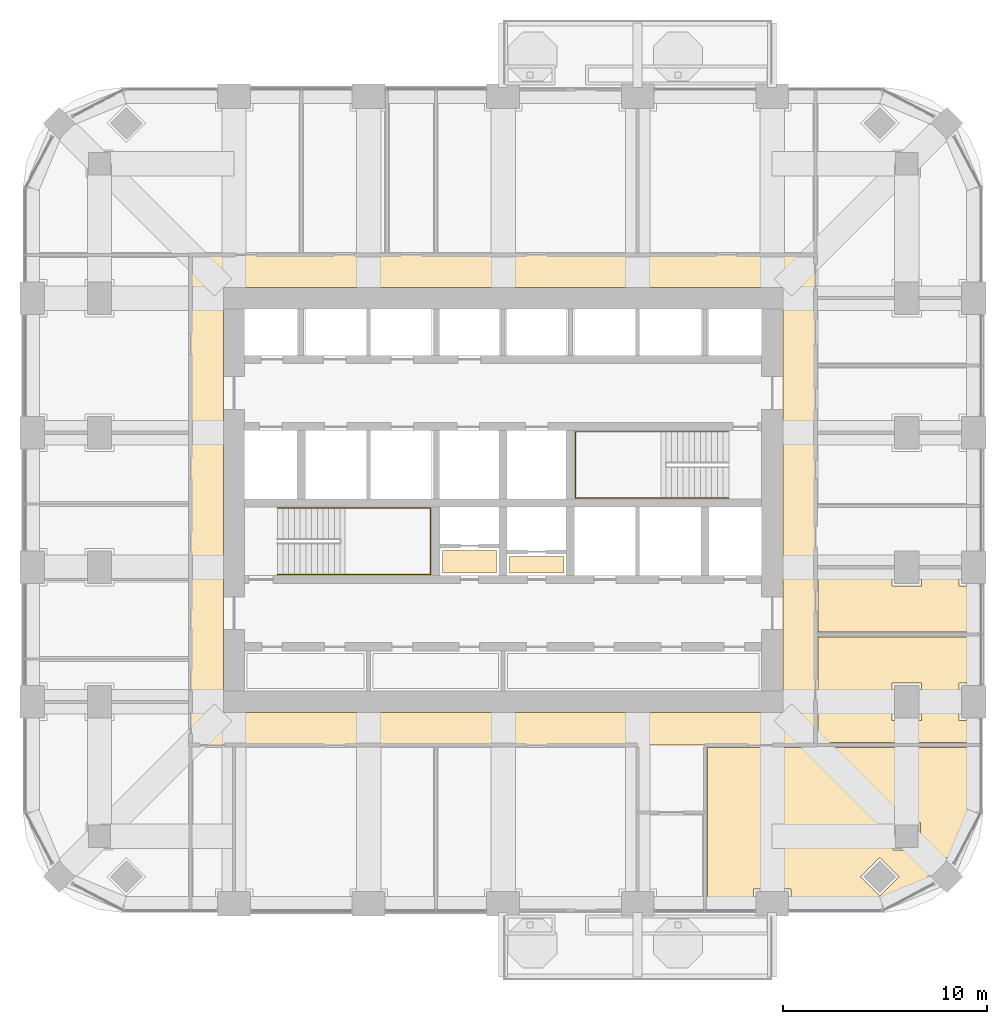
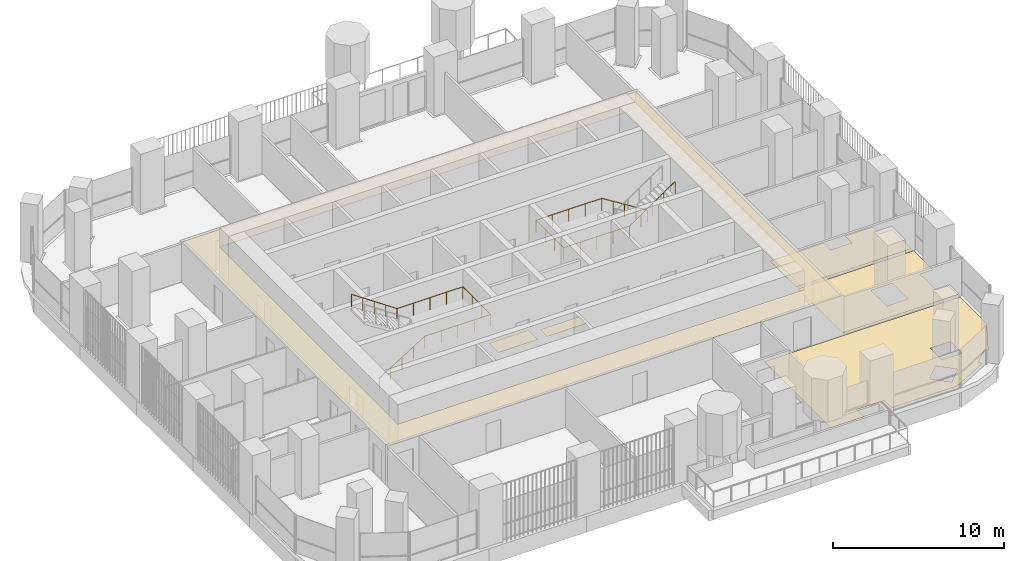
# One storey, part 18 of 20: 6 coverings, 2 railings.
"""IFC4 building model written with IfcOpenShell, lengths in metres."""

import ifcopenshell
import ifcopenshell.guid

model = None  # the IFC model being written
_history = None  # IfcOwnerHistory: only IFC2X3 demands one
_inside = {}  # id of a spatial element -> (the spatial element, [elements in it])
_under = {}  # id of a project, library or spatial element -> (it, [spatial elements below it])
_declared = {}  # id of a project -> (the project, [libraries it declares])
_typed = {}  # id of a type object -> (the type object, [elements of that type])
_made_of = {}  # id of a material, layer set ... -> (it, [elements and type objects made of it])


def new_model(schema):
    """Start an empty IFC model of exactly this schema.

    Asked for "IFC4X3", IfcOpenShell would pick the latest addendum, in which some entities
    have other attributes; the version numbers below select the first issue.
    IFC2X3 requires an IfcOwnerHistory on every rooted entity: one is made here for all.
    """
    global model, _history
    if schema == "IFC4X3":
        model = ifcopenshell.file(schema_version=(4, 3, 0, 0))
    else:
        model = ifcopenshell.file(schema=schema)
    _inside.clear()
    _under.clear()
    _declared.clear()
    _typed.clear()
    _made_of.clear()
    _history = None
    if model.schema == "IFC2X3":
        org = make("IfcOrganization", Name="unknown")
        user = make(
            "IfcPersonAndOrganization",
            ThePerson=make("IfcPerson", FamilyName="unknown"),
            TheOrganization=org,
        )
        app = make(
            "IfcApplication",
            ApplicationDeveloper=org,
            Version="unknown",
            ApplicationFullName="unknown",
            ApplicationIdentifier="unknown",
        )
        _history = make(
            "IfcOwnerHistory",
            OwningUser=user,
            OwningApplication=app,
            ChangeAction="ADDED",
            CreationDate=0,
        )
    return model


def make(cls, **values):
    """One entity of the class cls with the attributes given. An attribute that is None is left unset."""
    return model.create_entity(
        cls, **{name: value for name, value in values.items() if value is not None}
    )


def rooted(cls, **values):
    """An entity with a GlobalId (a new one), such as an element, a storey or a relation."""
    return make(cls, GlobalId=ifcopenshell.guid.new(), OwnerHistory=_history, **values)


def si_unit(unit_type, name, prefix=None):
    """IfcSIUnit, for example si_unit("LENGTHUNIT", "METRE", prefix="MILLI")."""
    return make("IfcSIUnit", UnitType=unit_type, Prefix=prefix, Name=name)


def assignment(units):
    """IfcUnitAssignment: the units of a project."""
    return None if units is None else make("IfcUnitAssignment", Units=units)


def point(xyz):
    """IfcCartesianPoint."""
    return None if xyz is None else make("IfcCartesianPoint", Coordinates=xyz)


def direction(xyz):
    """IfcDirection."""
    return None if xyz is None else make("IfcDirection", DirectionRatios=xyz)


def frame(location, z_axis=None, x_axis=None):
    """IfcAxis2Placement3D, a coordinate frame: its origin and axes. An axis left out is left unset."""
    return make(
        "IfcAxis2Placement3D",
        Location=point(location),
        Axis=direction(z_axis),
        RefDirection=direction(x_axis),
    )


def origin():
    """The frame at (0, 0, 0) with its axes left unset."""
    return frame((0.0, 0.0, 0.0))


def place(relative_to, where):
    """IfcLocalPlacement: puts the frame where relative to a parent placement (None: the world)."""
    return make(
        "IfcLocalPlacement", PlacementRelTo=relative_to, RelativePlacement=where
    )


def context(
    kind, dimensions, precision=None, world=None, true_north=None, identifier=None
):
    """IfcGeometricRepresentationContext, for example the 3D "Model" context."""
    return make(
        "IfcGeometricRepresentationContext",
        ContextIdentifier=identifier,
        ContextType=kind,
        CoordinateSpaceDimension=dimensions,
        Precision=precision,
        WorldCoordinateSystem=world,
        TrueNorth=true_north,
    )


def subcontext(parent, identifier, kind, view, scale=None):
    """IfcGeometricRepresentationSubContext, for example "Body" below "Model"."""
    return make(
        "IfcGeometricRepresentationSubContext",
        ContextIdentifier=identifier,
        ContextType=kind,
        ParentContext=parent,
        TargetScale=scale,
        TargetView=view,
    )


def project(units=None, contexts=None):
    """IfcProject with its units and contexts."""
    return rooted(
        "IfcProject",
        Name="project",
        RepresentationContexts=contexts,
        UnitsInContext=assignment(units),
    )


def spatial(cls, under=None, at=None, **own):
    """A site, building, storey or space (cls), placed at a placement, below another one or the project."""
    s = rooted(cls, ObjectPlacement=at, **own)
    if under is not None:
        _under.setdefault(under.id(), (under, []))[1].append(s)
    return s


def polyline(points):
    """IfcPolyline through the points."""
    return make("IfcPolyline", Points=[point(p) for p in points])


def outline(outer, holes=None, kind="AREA"):
    """IfcArbitraryClosedProfileDef: a profile drawn as a closed curve; with holes, ...WithVoids."""
    if holes is None:
        return make("IfcArbitraryClosedProfileDef", ProfileType=kind, OuterCurve=outer)
    return make(
        "IfcArbitraryProfileDefWithVoids",
        ProfileType=kind,
        OuterCurve=outer,
        InnerCurves=holes,
    )


def extrude(swept, where, along, depth):
    """IfcExtrudedAreaSolid: the profile swept, set in the frame where, extruded along a direction by depth."""
    return make(
        "IfcExtrudedAreaSolid",
        SweptArea=swept,
        Position=where,
        ExtrudedDirection=direction(along),
        Depth=depth,
    )


def shape(context_of_items, identifier, shape_type, items):
    """IfcShapeRepresentation: the items that make up one representation, for example the "Body"."""
    return make(
        "IfcShapeRepresentation",
        ContextOfItems=context_of_items,
        RepresentationIdentifier=identifier,
        RepresentationType=shape_type,
        Items=items,
    )


def material(Name=None, Category=None):
    """IfcMaterial."""
    return make("IfcMaterial", Name=Name, Category=Category)


def layer(
    of_material, thickness, ventilated=None, Name=None, Category=None, Priority=None
):
    """IfcMaterialLayer: one layer of a wall or slab, of a material (None: an air gap)."""
    return make(
        "IfcMaterialLayer",
        Material=of_material,
        LayerThickness=thickness,
        IsVentilated=ventilated,
        Name=Name,
        Category=Category,
        Priority=Priority,
    )


def layer_set(layers, Name=None):
    """IfcMaterialLayerSet."""
    return make("IfcMaterialLayerSet", MaterialLayers=layers, LayerSetName=Name)


def made_of(thing, what):
    """Note that an element or type object is made of a material, layer set ...; save() writes the relation."""
    if what is not None:
        _made_of.setdefault(what.id(), (what, []))[1].append(thing)
    return thing


def type_object(cls, material=None, **own):
    """A type object (cls), such as IfcWallType, which elements share."""
    return made_of(rooted(cls, **own), material)


def element(
    cls,
    number,
    at=None,
    inside=None,
    cuts=None,
    type_object=None,
    material=None,
    context=None,
    identifier="Body",
    shape_type=None,
    held_by="IfcProductDefinitionShape",
    body=None,
    shapes=None,
    **own,
):
    """One element of the class cls, such as IfcWall. Its Tag is "e" and its number.

    at: its placement. inside: the storey or other place that contains it. cuts: it is an
    opening in that element (IfcRelVoidsElement). A single representation is given by context,
    identifier, shape_type and body (its items); several are given by shapes. held_by: the class
    of the entity that holds the representations. save() writes the other relations.
    """
    e = rooted(cls, Tag="e%d" % number, ObjectPlacement=at, **own)
    if body is not None:
        shapes = [shape(context, identifier, shape_type, body)]
    if shapes is not None:
        e.Representation = make(held_by, Representations=shapes)
    if inside is not None:
        _inside.setdefault(inside.id(), (inside, []))[1].append(e)
    if cuts is not None:
        rooted(
            "IfcRelVoidsElement", RelatingBuildingElement=cuts, RelatedOpeningElement=e
        )
    if type_object is not None:
        _typed.setdefault(type_object.id(), (type_object, []))[1].append(e)
    return made_of(e, material)


def aggregate(whole, parts):
    """IfcRelAggregates: a whole, such as a stair, and the parts it consists of."""
    return rooted("IfcRelAggregates", RelatingObject=whole, RelatedObjects=parts)


def save(model, path):
    """Write the relations noted so far, then the file.

    IfcRelAggregates (storeys below a building ...), IfcRelContainedInSpatialStructure (elements
    in a storey), IfcRelDefinesByType, IfcRelAssociatesMaterial and IfcRelDeclares: one each for
    every whole, place, type object, material and project.
    """
    for whole, parts in _under.values():
        aggregate(whole, parts)
    for where, things in _inside.values():
        rooted(
            "IfcRelContainedInSpatialStructure",
            RelatedElements=things,
            RelatingStructure=where,
        )
    for kind, things in _typed.values():
        rooted("IfcRelDefinesByType", RelatedObjects=things, RelatingType=kind)
    for what, things in _made_of.values():
        rooted("IfcRelAssociatesMaterial", RelatedObjects=things, RelatingMaterial=what)
    for by, libraries in _declared.values():
        rooted("IfcRelDeclares", RelatingContext=by, RelatedDefinitions=libraries)
    model.write(path)


model = new_model("IFC4")

# Units and contexts
model_context = context("Model", 3, precision=1e-05, world=origin(), true_north=direction((0.0, 1.0)))
body_context = subcontext(model_context, "Body", "Model", "MODEL_VIEW")
ifc_project = project(units=[si_unit("LENGTHUNIT", "METRE"), si_unit("AREAUNIT", "SQUARE_METRE"), si_unit("VOLUMEUNIT", "CUBIC_METRE"), si_unit("PLANEANGLEUNIT", "RADIAN"), si_unit("MASSUNIT", "GRAM", prefix="KILO")], contexts=[model_context])

# Site, building, storey
site_placement = place(None, origin())
site = spatial("IfcSite", under=ifc_project, at=site_placement, CompositionType="ELEMENT")
building_placement = place(site_placement, origin())
building = spatial("IfcBuilding", under=site, at=building_placement, Name="Cobogo Forest Laboratory Tower", CompositionType="ELEMENT")
storey_placement = place(building_placement, frame((0.0, 0.0, 180.89990234375)))
storey = spatial("IfcBuildingStorey", under=building, at=storey_placement, Name="L41", CompositionType="ELEMENT", Elevation=180.89990234375)

# Coverings
ifc_material_1 = material(Name="Mineral fibre ceiling tile", Category="ceiling")
ifc_layer_1 = layer(ifc_material_1, 0.02001953125)
ifc_layer_set_1 = layer_set([ifc_layer_1], Name="CL1 suspended ceiling")
covering_type_1 = type_object("IfcCoveringType", Name="CL1 suspended ceiling", PredefinedType="CEILING", material=ifc_layer_set_1)
covering_1_placement = place(storey_placement, frame((0.0, 0.0, 2.800048828125)))
element("IfcCovering", 1, at=covering_1_placement, inside=storey, type_object=covering_type_1, Name="Corridor ceiling L41", PredefinedType="CEILING", context=body_context, shape_type="SweptSolid", body=[
    extrude(outline(polyline([(11.074951171875, 11.074951171875), (11.074951171875, 35.125), (41.72509765625, 35.125), (41.72509765625, 11.074951171875), (11.074951171875, 11.074951171875)]), holes=[polyline([(40.125, 33.52490234375), (12.675048828125, 33.52490234375), (12.675048828125, 12.675048828125), (40.125, 12.675048828125), (40.125, 33.52490234375)])]), origin(), (0.0, 0.0, 1.0), 0.02001953125),
])
ifc_material_2 = material(Name="Carpet tile on raised access floor", Category="flooring")
ifc_layer_2 = layer(ifc_material_2, 0.008056640625)
ifc_layer_set_2 = layer_set([ifc_layer_2], Name="CT1 carpet tile floor 8")
covering_type_2 = type_object("IfcCoveringType", Name="CT1 carpet tile floor 8", PredefinedType="FLOORING", material=ifc_layer_set_2)
covering_2_placement = place(storey_placement, origin())
element("IfcCovering", 2, at=covering_2_placement, inside=storey, type_object=covering_type_2, Name="Carpet floor L41-06", PredefinedType="FLOORING", context=body_context, shape_type="SweptSolid", body=[
    extrude(outline(polyline([(41.844970703125, 16.3798828125), (49.64990234375, 16.3798828125), (49.64990234375, 14.1201171875), (48.780029296875, 14.1201171875), (48.780029296875, 12.280029296875), (49.64990234375, 12.280029296875), (49.64990234375, 11.195068359375), (41.844970703125, 11.195068359375), (41.844970703125, 16.3798828125)]), holes=[polyline([(46.919921875, 12.280029296875), (46.919921875, 14.1201171875), (45.47998046875, 14.1201171875), (45.47998046875, 12.280029296875), (46.919921875, 12.280029296875)])]), origin(), (0.0, 0.0, 1.0), 0.008056640625),
])
covering_3_placement = place(storey_placement, origin())
element("IfcCovering", 3, at=covering_3_placement, inside=storey, type_object=covering_type_2, Name="Carpet floor L41-07", PredefinedType="FLOORING", context=body_context, shape_type="SweptSolid", body=[
    extrude(outline(polyline([(41.844970703125, 19.679931640625), (45.47998046875, 19.679931640625), (45.47998046875, 18.8798828125), (46.919921875, 18.8798828125), (46.919921875, 19.679931640625), (48.780029296875, 19.679931640625), (48.780029296875, 18.8798828125), (49.64990234375, 18.8798828125), (49.64990234375, 16.6201171875), (41.844970703125, 16.6201171875), (41.844970703125, 19.679931640625)])), origin(), (0.0, 0.0, 1.0), 0.008056640625),
])
covering_4_placement = place(storey_placement, origin())
element("IfcCovering", 4, at=covering_4_placement, inside=storey, type_object=covering_type_2, Name="Carpet floor L41-29", PredefinedType="FLOORING", context=body_context, shape_type="SweptSolid", body=[
    extrude(outline(polyline([(26.080078125, 19.52001953125), (23.419921875, 19.52001953125), (23.419921875, 20.6298828125), (26.080078125, 20.6298828125), (26.080078125, 19.52001953125)])), origin(), (0.0, 0.0, 1.0), 0.008056640625),
])
covering_5_placement = place(storey_placement, origin())
element("IfcCovering", 5, at=covering_5_placement, inside=storey, type_object=covering_type_2, Name="Carpet floor L41-31", PredefinedType="FLOORING", context=body_context, shape_type="SweptSolid", body=[
    extrude(outline(polyline([(29.3798828125, 19.52001953125), (26.719970703125, 19.52001953125), (26.719970703125, 20.330078125), (29.3798828125, 20.330078125), (29.3798828125, 19.52001953125)])), origin(), (0.0, 0.0, 1.0), 0.008056640625),
])

# Railings
ifc_material_3 = material(Name="Stainless steel handrail", Category="steel")
railing_type = type_object("IfcRailingType", Name="HR handrail 900", PredefinedType="HANDRAIL", material=ifc_material_3)
railing_1_placement = place(storey_placement, frame((15.324951171875, 19.449951171875, 0.175048828125)))
element("IfcRailing", 6, at=railing_1_placement, inside=storey, type_object=railing_type, Name="Stair handrail ST1 L41", PredefinedType="HANDRAIL", context=body_context, shape_type="SweptSolid", body=[
    extrude(outline(polyline([(0.022216796875, 0.00927734375), (0.00927734375, 0.022216796875), (-0.00927734375, 0.022216796875), (-0.022216796875, 0.00927734375), (-0.022216796875, -0.00927734375), (-0.00927734375, -0.022216796875), (0.00927734375, -0.022216796875), (0.022216796875, -0.00927734375), (0.022216796875, 0.00927734375)])), frame((0.0, 0.0, 0.877685546875), z_axis=(0.847998304005, 0.0, 0.529998940003), x_axis=(0.0, 1.0, 0.0)), (0.0, 0.0, 1.0), 3.632080078125),
    extrude(outline(polyline([(0.022216796875, 0.00927734375), (0.00927734375, 0.022216796875), (-0.00927734375, 0.022216796875), (-0.022216796875, 0.00927734375), (-0.022216796875, -0.00927734375), (-0.00927734375, -0.022216796875), (0.00927734375, -0.022216796875), (0.022216796875, -0.00927734375), (0.022216796875, 0.00927734375)])), frame((3.080078125, 0.0, 2.802734375), z_axis=(1.0, 0.0, 0.0), x_axis=(0.0, 1.0, 0.0)), (0.0, 0.0, 1.0), 4.445068359375),
    extrude(outline(polyline([(0.022216796875, 0.00927734375), (0.00927734375, 0.022216796875), (-0.00927734375, 0.022216796875), (-0.022216796875, 0.00927734375), (-0.022216796875, -0.00927734375), (-0.00927734375, -0.022216796875), (0.00927734375, -0.022216796875), (0.022216796875, -0.00927734375), (0.022216796875, 0.00927734375)])), frame((7.525146484375, 0.0, 2.802734375), z_axis=(0.0, 1.0, 0.0), x_axis=(-1.0, 0.0, 0.0)), (0.0, 0.0, 1.0), 3.25),
    extrude(outline(polyline([(0.022216796875, 0.00927734375), (0.00927734375, 0.022216796875), (-0.00927734375, 0.022216796875), (-0.022216796875, 0.00927734375), (-0.022216796875, -0.00927734375), (-0.00927734375, -0.022216796875), (0.00927734375, -0.022216796875), (0.022216796875, -0.00927734375), (0.022216796875, 0.00927734375)])), frame((7.525146484375, 3.25, 2.802734375), z_axis=(-1.0, 0.0, 0.0), x_axis=(0.0, -1.0, 0.0)), (0.0, 0.0, 1.0), 4.445068359375),
    extrude(outline(polyline([(0.022216796875, 0.00927734375), (0.00927734375, 0.022216796875), (-0.00927734375, 0.022216796875), (-0.022216796875, 0.00927734375), (-0.022216796875, -0.00927734375), (-0.00927734375, -0.022216796875), (0.00927734375, -0.022216796875), (0.022216796875, -0.00927734375), (0.022216796875, 0.00927734375)])), frame((3.080078125, 3.25, 2.802734375), z_axis=(-0.826221800596, 0.0, 0.563344953133), x_axis=(0.0, -1.0, 0.0)), (0.0, 0.0, 1.0), 3.72802734375),
    extrude(outline(polyline([(0.019287109375, 0.008056640625), (0.008056640625, 0.019287109375), (-0.008056640625, 0.019287109375), (-0.019287109375, 0.008056640625), (-0.019287109375, -0.008056640625), (-0.008056640625, -0.019287109375), (0.008056640625, -0.019287109375), (0.019287109375, -0.008056640625), (0.019287109375, 0.008056640625)])), origin(), (0.0, 0.0, 1.0), 0.877685546875),
    extrude(outline(polyline([(0.019287109375, 0.008056640625), (0.008056640625, 0.019287109375), (-0.008056640625, 0.019287109375), (-0.019287109375, 0.008056640625), (-0.019287109375, -0.008056640625), (-0.008056640625, -0.019287109375), (0.008056640625, -0.019287109375), (0.019287109375, -0.008056640625), (0.019287109375, 0.008056640625)])), frame((0.77001953125, 0.0, 0.481201171875)), (0.0, 0.0, 1.0), 0.877685546875),
    extrude(outline(polyline([(0.019287109375, 0.008056640625), (0.008056640625, 0.019287109375), (-0.008056640625, 0.019287109375), (-0.019287109375, 0.008056640625), (-0.019287109375, -0.008056640625), (-0.008056640625, -0.019287109375), (0.008056640625, -0.019287109375), (0.019287109375, -0.008056640625), (0.019287109375, 0.008056640625)])), frame((1.5400390625, 0.0, 0.96240234375)), (0.0, 0.0, 1.0), 0.877685546875),
    extrude(outline(polyline([(0.019287109375, 0.008056640625), (0.008056640625, 0.019287109375), (-0.008056640625, 0.019287109375), (-0.019287109375, 0.008056640625), (-0.019287109375, -0.008056640625), (-0.008056640625, -0.019287109375), (0.008056640625, -0.019287109375), (0.019287109375, -0.008056640625), (0.019287109375, 0.008056640625)])), frame((2.31005859375, 0.0, 1.44384765625)), (0.0, 0.0, 1.0), 0.877685546875),
    extrude(outline(polyline([(0.019287109375, 0.008056640625), (0.008056640625, 0.019287109375), (-0.008056640625, 0.019287109375), (-0.019287109375, 0.008056640625), (-0.019287109375, -0.008056640625), (-0.008056640625, -0.019287109375), (0.008056640625, -0.019287109375), (0.019287109375, -0.008056640625), (0.019287109375, 0.008056640625)])), frame((3.080078125, 0.0, 1.925048828125)), (0.0, 0.0, 1.0), 0.877685546875),
    extrude(outline(polyline([(0.019287109375, 0.008056640625), (0.008056640625, 0.019287109375), (-0.008056640625, 0.019287109375), (-0.019287109375, 0.008056640625), (-0.019287109375, -0.008056640625), (-0.008056640625, -0.019287109375), (0.008056640625, -0.019287109375), (0.019287109375, -0.008056640625), (0.019287109375, 0.008056640625)])), frame((4.19140625, 0.0, 1.925048828125)), (0.0, 0.0, 1.0), 0.877685546875),
    extrude(outline(polyline([(0.019287109375, 0.008056640625), (0.008056640625, 0.019287109375), (-0.008056640625, 0.019287109375), (-0.019287109375, 0.008056640625), (-0.019287109375, -0.008056640625), (-0.008056640625, -0.019287109375), (0.008056640625, -0.019287109375), (0.019287109375, -0.008056640625), (0.019287109375, 0.008056640625)])), frame((5.302734375, 0.0, 1.925048828125)), (0.0, 0.0, 1.0), 0.877685546875),
    extrude(outline(polyline([(0.019287109375, 0.008056640625), (0.008056640625, 0.019287109375), (-0.008056640625, 0.019287109375), (-0.019287109375, 0.008056640625), (-0.019287109375, -0.008056640625), (-0.008056640625, -0.019287109375), (0.008056640625, -0.019287109375), (0.019287109375, -0.008056640625), (0.019287109375, 0.008056640625)])), frame((6.413818359375, 0.0, 1.925048828125)), (0.0, 0.0, 1.0), 0.877685546875),
    extrude(outline(polyline([(0.019287109375, 0.008056640625), (0.008056640625, 0.019287109375), (-0.008056640625, 0.019287109375), (-0.019287109375, 0.008056640625), (-0.019287109375, -0.008056640625), (-0.008056640625, -0.019287109375), (0.008056640625, -0.019287109375), (0.019287109375, -0.008056640625), (0.019287109375, 0.008056640625)])), frame((7.525146484375, 0.0, 1.925048828125)), (0.0, 0.0, 1.0), 0.877685546875),
    extrude(outline(polyline([(0.019287109375, 0.008056640625), (0.008056640625, 0.019287109375), (-0.008056640625, 0.019287109375), (-0.019287109375, 0.008056640625), (-0.019287109375, -0.008056640625), (-0.008056640625, -0.019287109375), (0.008056640625, -0.019287109375), (0.019287109375, -0.008056640625), (0.019287109375, 0.008056640625)])), frame((7.525146484375, 1.083251953125, 1.925048828125)), (0.0, 0.0, 1.0), 0.877685546875),
    extrude(outline(polyline([(0.019287109375, 0.008056640625), (0.008056640625, 0.019287109375), (-0.008056640625, 0.019287109375), (-0.019287109375, 0.008056640625), (-0.019287109375, -0.008056640625), (-0.008056640625, -0.019287109375), (0.008056640625, -0.019287109375), (0.019287109375, -0.008056640625), (0.019287109375, 0.008056640625)])), frame((7.525146484375, 2.166748046875, 1.925048828125)), (0.0, 0.0, 1.0), 0.877685546875),
    extrude(outline(polyline([(0.019287109375, 0.008056640625), (0.008056640625, 0.019287109375), (-0.008056640625, 0.019287109375), (-0.019287109375, 0.008056640625), (-0.019287109375, -0.008056640625), (-0.008056640625, -0.019287109375), (0.008056640625, -0.019287109375), (0.019287109375, -0.008056640625), (0.019287109375, 0.008056640625)])), frame((7.525146484375, 3.25, 1.925048828125)), (0.0, 0.0, 1.0), 0.877685546875),
    extrude(outline(polyline([(0.019287109375, 0.008056640625), (0.008056640625, 0.019287109375), (-0.008056640625, 0.019287109375), (-0.019287109375, 0.008056640625), (-0.019287109375, -0.008056640625), (-0.008056640625, -0.019287109375), (0.008056640625, -0.019287109375), (0.019287109375, -0.008056640625), (0.019287109375, 0.008056640625)])), frame((6.413818359375, 3.25, 1.925048828125)), (0.0, 0.0, 1.0), 0.877685546875),
    extrude(outline(polyline([(0.019287109375, 0.008056640625), (0.008056640625, 0.019287109375), (-0.008056640625, 0.019287109375), (-0.019287109375, 0.008056640625), (-0.019287109375, -0.008056640625), (-0.008056640625, -0.019287109375), (0.008056640625, -0.019287109375), (0.019287109375, -0.008056640625), (0.019287109375, 0.008056640625)])), frame((5.302734375, 3.25, 1.925048828125)), (0.0, 0.0, 1.0), 0.877685546875),
    extrude(outline(polyline([(0.019287109375, 0.008056640625), (0.008056640625, 0.019287109375), (-0.008056640625, 0.019287109375), (-0.019287109375, 0.008056640625), (-0.019287109375, -0.008056640625), (-0.008056640625, -0.019287109375), (0.008056640625, -0.019287109375), (0.019287109375, -0.008056640625), (0.019287109375, 0.008056640625)])), frame((4.19140625, 3.25, 1.925048828125)), (0.0, 0.0, 1.0), 0.877685546875),
    extrude(outline(polyline([(0.019287109375, 0.008056640625), (0.008056640625, 0.019287109375), (-0.008056640625, 0.019287109375), (-0.019287109375, 0.008056640625), (-0.019287109375, -0.008056640625), (-0.008056640625, -0.019287109375), (0.008056640625, -0.019287109375), (0.019287109375, -0.008056640625), (0.019287109375, 0.008056640625)])), frame((3.080078125, 3.25, 1.925048828125)), (0.0, 0.0, 1.0), 0.877685546875),
    extrude(outline(polyline([(0.019287109375, 0.008056640625), (0.008056640625, 0.019287109375), (-0.008056640625, 0.019287109375), (-0.019287109375, 0.008056640625), (-0.019287109375, -0.008056640625), (-0.008056640625, -0.019287109375), (0.008056640625, -0.019287109375), (0.019287109375, -0.008056640625), (0.019287109375, 0.008056640625)])), frame((2.31005859375, 3.25, 2.4501953125)), (0.0, 0.0, 1.0), 0.877685546875),
    extrude(outline(polyline([(0.019287109375, 0.008056640625), (0.008056640625, 0.019287109375), (-0.008056640625, 0.019287109375), (-0.019287109375, 0.008056640625), (-0.019287109375, -0.008056640625), (-0.008056640625, -0.019287109375), (0.008056640625, -0.019287109375), (0.019287109375, -0.008056640625), (0.019287109375, 0.008056640625)])), frame((1.5400390625, 3.25, 2.97509765625)), (0.0, 0.0, 1.0), 0.877685546875),
    extrude(outline(polyline([(0.019287109375, 0.008056640625), (0.008056640625, 0.019287109375), (-0.008056640625, 0.019287109375), (-0.019287109375, 0.008056640625), (-0.019287109375, -0.008056640625), (-0.008056640625, -0.019287109375), (0.008056640625, -0.019287109375), (0.019287109375, -0.008056640625), (0.019287109375, 0.008056640625)])), frame((0.77001953125, 3.25, 3.5)), (0.0, 0.0, 1.0), 0.877685546875),
    extrude(outline(polyline([(0.019287109375, 0.008056640625), (0.008056640625, 0.019287109375), (-0.008056640625, 0.019287109375), (-0.019287109375, 0.008056640625), (-0.019287109375, -0.008056640625), (-0.008056640625, -0.019287109375), (0.008056640625, -0.019287109375), (0.019287109375, -0.008056640625), (0.019287109375, 0.008056640625)])), frame((0.0, 3.25, 4.025146484375)), (0.0, 0.0, 1.0), 0.877685546875),
])
railing_2_placement = place(storey_placement, frame((37.47509765625, 26.449951171875, 0.175048828125)))
element("IfcRailing", 7, at=railing_2_placement, inside=storey, type_object=railing_type, Name="Stair handrail ST2 L41", PredefinedType="HANDRAIL", context=body_context, shape_type="SweptSolid", body=[
    extrude(outline(polyline([(0.022216796875, 0.00927734375), (0.00927734375, 0.022216796875), (-0.00927734375, 0.022216796875), (-0.022216796875, 0.00927734375), (-0.022216796875, -0.00927734375), (-0.00927734375, -0.022216796875), (0.00927734375, -0.022216796875), (0.022216796875, -0.00927734375), (0.022216796875, 0.00927734375)])), frame((0.0, 0.0, 0.877685546875), z_axis=(-0.847998304005, 0.0, 0.529998940003), x_axis=(0.0, -1.0, 0.0)), (0.0, 0.0, 1.0), 3.632080078125),
    extrude(outline(polyline([(0.022216796875, 0.00927734375), (0.00927734375, 0.022216796875), (-0.00927734375, 0.022216796875), (-0.022216796875, 0.00927734375), (-0.022216796875, -0.00927734375), (-0.00927734375, -0.022216796875), (0.00927734375, -0.022216796875), (0.022216796875, -0.00927734375), (0.022216796875, 0.00927734375)])), frame((-3.080078125, 0.0, 2.802734375), z_axis=(-1.0, 0.0, 0.0), x_axis=(0.0, -1.0, 0.0)), (0.0, 0.0, 1.0), 4.445068359375),
    extrude(outline(polyline([(0.022216796875, 0.00927734375), (0.00927734375, 0.022216796875), (-0.00927734375, 0.022216796875), (-0.022216796875, 0.00927734375), (-0.022216796875, -0.00927734375), (-0.00927734375, -0.022216796875), (0.00927734375, -0.022216796875), (0.022216796875, -0.00927734375), (0.022216796875, 0.00927734375)])), frame((-7.525146484375, 0.0, 2.802734375), z_axis=(0.0, -1.0, 0.0), x_axis=(1.0, 0.0, 0.0)), (0.0, 0.0, 1.0), 3.25),
    extrude(outline(polyline([(0.022216796875, 0.00927734375), (0.00927734375, 0.022216796875), (-0.00927734375, 0.022216796875), (-0.022216796875, 0.00927734375), (-0.022216796875, -0.00927734375), (-0.00927734375, -0.022216796875), (0.00927734375, -0.022216796875), (0.022216796875, -0.00927734375), (0.022216796875, 0.00927734375)])), frame((-7.525146484375, -3.25, 2.802734375), z_axis=(1.0, 0.0, 0.0), x_axis=(0.0, 1.0, 0.0)), (0.0, 0.0, 1.0), 4.445068359375),
    extrude(outline(polyline([(0.022216796875, 0.00927734375), (0.00927734375, 0.022216796875), (-0.00927734375, 0.022216796875), (-0.022216796875, 0.00927734375), (-0.022216796875, -0.00927734375), (-0.00927734375, -0.022216796875), (0.00927734375, -0.022216796875), (0.022216796875, -0.00927734375), (0.022216796875, 0.00927734375)])), frame((-3.080078125, -3.25, 2.802734375), z_axis=(0.826221800596, 0.0, 0.563344953133), x_axis=(0.0, 1.0, 0.0)), (0.0, 0.0, 1.0), 3.72802734375),
    extrude(outline(polyline([(0.019287109375, 0.008056640625), (0.008056640625, 0.019287109375), (-0.008056640625, 0.019287109375), (-0.019287109375, 0.008056640625), (-0.019287109375, -0.008056640625), (-0.008056640625, -0.019287109375), (0.008056640625, -0.019287109375), (0.019287109375, -0.008056640625), (0.019287109375, 0.008056640625)])), origin(), (0.0, 0.0, 1.0), 0.877685546875),
    extrude(outline(polyline([(0.019287109375, 0.008056640625), (0.008056640625, 0.019287109375), (-0.008056640625, 0.019287109375), (-0.019287109375, 0.008056640625), (-0.019287109375, -0.008056640625), (-0.008056640625, -0.019287109375), (0.008056640625, -0.019287109375), (0.019287109375, -0.008056640625), (0.019287109375, 0.008056640625)])), frame((-0.77001953125, 0.0, 0.481201171875)), (0.0, 0.0, 1.0), 0.877685546875),
    extrude(outline(polyline([(0.019287109375, 0.008056640625), (0.008056640625, 0.019287109375), (-0.008056640625, 0.019287109375), (-0.019287109375, 0.008056640625), (-0.019287109375, -0.008056640625), (-0.008056640625, -0.019287109375), (0.008056640625, -0.019287109375), (0.019287109375, -0.008056640625), (0.019287109375, 0.008056640625)])), frame((-1.5400390625, 0.0, 0.96240234375)), (0.0, 0.0, 1.0), 0.877685546875),
    extrude(outline(polyline([(0.019287109375, 0.008056640625), (0.008056640625, 0.019287109375), (-0.008056640625, 0.019287109375), (-0.019287109375, 0.008056640625), (-0.019287109375, -0.008056640625), (-0.008056640625, -0.019287109375), (0.008056640625, -0.019287109375), (0.019287109375, -0.008056640625), (0.019287109375, 0.008056640625)])), frame((-2.31005859375, 0.0, 1.44384765625)), (0.0, 0.0, 1.0), 0.877685546875),
    extrude(outline(polyline([(0.019287109375, 0.008056640625), (0.008056640625, 0.019287109375), (-0.008056640625, 0.019287109375), (-0.019287109375, 0.008056640625), (-0.019287109375, -0.008056640625), (-0.008056640625, -0.019287109375), (0.008056640625, -0.019287109375), (0.019287109375, -0.008056640625), (0.019287109375, 0.008056640625)])), frame((-3.080078125, 0.0, 1.925048828125)), (0.0, 0.0, 1.0), 0.877685546875),
    extrude(outline(polyline([(0.019287109375, 0.008056640625), (0.008056640625, 0.019287109375), (-0.008056640625, 0.019287109375), (-0.019287109375, 0.008056640625), (-0.019287109375, -0.008056640625), (-0.008056640625, -0.019287109375), (0.008056640625, -0.019287109375), (0.019287109375, -0.008056640625), (0.019287109375, 0.008056640625)])), frame((-4.19140625, 0.0, 1.925048828125)), (0.0, 0.0, 1.0), 0.877685546875),
    extrude(outline(polyline([(0.019287109375, 0.008056640625), (0.008056640625, 0.019287109375), (-0.008056640625, 0.019287109375), (-0.019287109375, 0.008056640625), (-0.019287109375, -0.008056640625), (-0.008056640625, -0.019287109375), (0.008056640625, -0.019287109375), (0.019287109375, -0.008056640625), (0.019287109375, 0.008056640625)])), frame((-5.302734375, 0.0, 1.925048828125)), (0.0, 0.0, 1.0), 0.877685546875),
    extrude(outline(polyline([(0.019287109375, 0.008056640625), (0.008056640625, 0.019287109375), (-0.008056640625, 0.019287109375), (-0.019287109375, 0.008056640625), (-0.019287109375, -0.008056640625), (-0.008056640625, -0.019287109375), (0.008056640625, -0.019287109375), (0.019287109375, -0.008056640625), (0.019287109375, 0.008056640625)])), frame((-6.413818359375, 0.0, 1.925048828125)), (0.0, 0.0, 1.0), 0.877685546875),
    extrude(outline(polyline([(0.019287109375, 0.008056640625), (0.008056640625, 0.019287109375), (-0.008056640625, 0.019287109375), (-0.019287109375, 0.008056640625), (-0.019287109375, -0.008056640625), (-0.008056640625, -0.019287109375), (0.008056640625, -0.019287109375), (0.019287109375, -0.008056640625), (0.019287109375, 0.008056640625)])), frame((-7.525146484375, 0.0, 1.925048828125)), (0.0, 0.0, 1.0), 0.877685546875),
    extrude(outline(polyline([(0.019287109375, 0.008056640625), (0.008056640625, 0.019287109375), (-0.008056640625, 0.019287109375), (-0.019287109375, 0.008056640625), (-0.019287109375, -0.008056640625), (-0.008056640625, -0.019287109375), (0.008056640625, -0.019287109375), (0.019287109375, -0.008056640625), (0.019287109375, 0.008056640625)])), frame((-7.525146484375, -1.083251953125, 1.925048828125)), (0.0, 0.0, 1.0), 0.877685546875),
    extrude(outline(polyline([(0.019287109375, 0.008056640625), (0.008056640625, 0.019287109375), (-0.008056640625, 0.019287109375), (-0.019287109375, 0.008056640625), (-0.019287109375, -0.008056640625), (-0.008056640625, -0.019287109375), (0.008056640625, -0.019287109375), (0.019287109375, -0.008056640625), (0.019287109375, 0.008056640625)])), frame((-7.525146484375, -2.166748046875, 1.925048828125)), (0.0, 0.0, 1.0), 0.877685546875),
    extrude(outline(polyline([(0.019287109375, 0.008056640625), (0.008056640625, 0.019287109375), (-0.008056640625, 0.019287109375), (-0.019287109375, 0.008056640625), (-0.019287109375, -0.008056640625), (-0.008056640625, -0.019287109375), (0.008056640625, -0.019287109375), (0.019287109375, -0.008056640625), (0.019287109375, 0.008056640625)])), frame((-7.525146484375, -3.25, 1.925048828125)), (0.0, 0.0, 1.0), 0.877685546875),
    extrude(outline(polyline([(0.019287109375, 0.008056640625), (0.008056640625, 0.019287109375), (-0.008056640625, 0.019287109375), (-0.019287109375, 0.008056640625), (-0.019287109375, -0.008056640625), (-0.008056640625, -0.019287109375), (0.008056640625, -0.019287109375), (0.019287109375, -0.008056640625), (0.019287109375, 0.008056640625)])), frame((-6.413818359375, -3.25, 1.925048828125)), (0.0, 0.0, 1.0), 0.877685546875),
    extrude(outline(polyline([(0.019287109375, 0.008056640625), (0.008056640625, 0.019287109375), (-0.008056640625, 0.019287109375), (-0.019287109375, 0.008056640625), (-0.019287109375, -0.008056640625), (-0.008056640625, -0.019287109375), (0.008056640625, -0.019287109375), (0.019287109375, -0.008056640625), (0.019287109375, 0.008056640625)])), frame((-5.302734375, -3.25, 1.925048828125)), (0.0, 0.0, 1.0), 0.877685546875),
    extrude(outline(polyline([(0.019287109375, 0.008056640625), (0.008056640625, 0.019287109375), (-0.008056640625, 0.019287109375), (-0.019287109375, 0.008056640625), (-0.019287109375, -0.008056640625), (-0.008056640625, -0.019287109375), (0.008056640625, -0.019287109375), (0.019287109375, -0.008056640625), (0.019287109375, 0.008056640625)])), frame((-4.19140625, -3.25, 1.925048828125)), (0.0, 0.0, 1.0), 0.877685546875),
    extrude(outline(polyline([(0.019287109375, 0.008056640625), (0.008056640625, 0.019287109375), (-0.008056640625, 0.019287109375), (-0.019287109375, 0.008056640625), (-0.019287109375, -0.008056640625), (-0.008056640625, -0.019287109375), (0.008056640625, -0.019287109375), (0.019287109375, -0.008056640625), (0.019287109375, 0.008056640625)])), frame((-3.080078125, -3.25, 1.925048828125)), (0.0, 0.0, 1.0), 0.877685546875),
    extrude(outline(polyline([(0.019287109375, 0.008056640625), (0.008056640625, 0.019287109375), (-0.008056640625, 0.019287109375), (-0.019287109375, 0.008056640625), (-0.019287109375, -0.008056640625), (-0.008056640625, -0.019287109375), (0.008056640625, -0.019287109375), (0.019287109375, -0.008056640625), (0.019287109375, 0.008056640625)])), frame((-2.31005859375, -3.25, 2.4501953125)), (0.0, 0.0, 1.0), 0.877685546875),
    extrude(outline(polyline([(0.019287109375, 0.008056640625), (0.008056640625, 0.019287109375), (-0.008056640625, 0.019287109375), (-0.019287109375, 0.008056640625), (-0.019287109375, -0.008056640625), (-0.008056640625, -0.019287109375), (0.008056640625, -0.019287109375), (0.019287109375, -0.008056640625), (0.019287109375, 0.008056640625)])), frame((-1.5400390625, -3.25, 2.97509765625)), (0.0, 0.0, 1.0), 0.877685546875),
    extrude(outline(polyline([(0.019287109375, 0.008056640625), (0.008056640625, 0.019287109375), (-0.008056640625, 0.019287109375), (-0.019287109375, 0.008056640625), (-0.019287109375, -0.008056640625), (-0.008056640625, -0.019287109375), (0.008056640625, -0.019287109375), (0.019287109375, -0.008056640625), (0.019287109375, 0.008056640625)])), frame((-0.77001953125, -3.25, 3.5)), (0.0, 0.0, 1.0), 0.877685546875),
    extrude(outline(polyline([(0.019287109375, 0.008056640625), (0.008056640625, 0.019287109375), (-0.008056640625, 0.019287109375), (-0.019287109375, 0.008056640625), (-0.019287109375, -0.008056640625), (-0.008056640625, -0.019287109375), (0.008056640625, -0.019287109375), (0.019287109375, -0.008056640625), (0.019287109375, 0.008056640625)])), frame((0.0, -3.25, 4.025146484375)), (0.0, 0.0, 1.0), 0.877685546875),
])

# Covering
ifc_material_4 = material(Name="Static-dissipative vinyl flooring", Category="flooring")
ifc_layer_3 = layer(ifc_material_4, 0.0029296875)
ifc_layer_set_3 = layer_set([ifc_layer_3], Name="SD1 static-dissipative vinyl floor 3")
covering_type_3 = type_object("IfcCoveringType", Name="SD1 static-dissipative vinyl floor 3", PredefinedType="FLOORING", material=ifc_layer_set_3)
covering_6_placement = place(storey_placement, origin())
element("IfcCovering", 8, at=covering_6_placement, inside=storey, type_object=covering_type_3, Name="Static-dissipative floor L41-05", PredefinedType="FLOORING", context=body_context, shape_type="SweptSolid", body=[
    extrude(outline(polyline([(49.64990234375, 10.955078125), (49.64990234375, 7.84912109375), (48.359619140625, 5.387939453125), (48.181884765625, 5.5654296875), (47.234375, 4.617919921875), (47.412109375, 4.440185546875), (44.95068359375, 3.14990234375), (40.52001953125, 3.14990234375), (40.52001953125, 4.02001953125), (38.679931640625, 4.02001953125), (38.679931640625, 3.14990234375), (36.419921875, 3.14990234375), (36.419921875, 10.955078125), (49.64990234375, 10.955078125)]), holes=[polyline([(45.530029296875, 5.929931640625), (46.8701171875, 5.929931640625), (46.8701171875, 7.27001953125), (45.530029296875, 7.27001953125), (45.530029296875, 5.929931640625)]), polyline([(44.882080078125, 3.67041015625), (45.82958984375, 4.617919921875), (44.882080078125, 5.5654296875), (43.9345703125, 4.617919921875), (44.882080078125, 3.67041015625)])]), origin(), (0.0, 0.0, 1.0), 0.003173828125),
])

save(model, "model.ifc")
